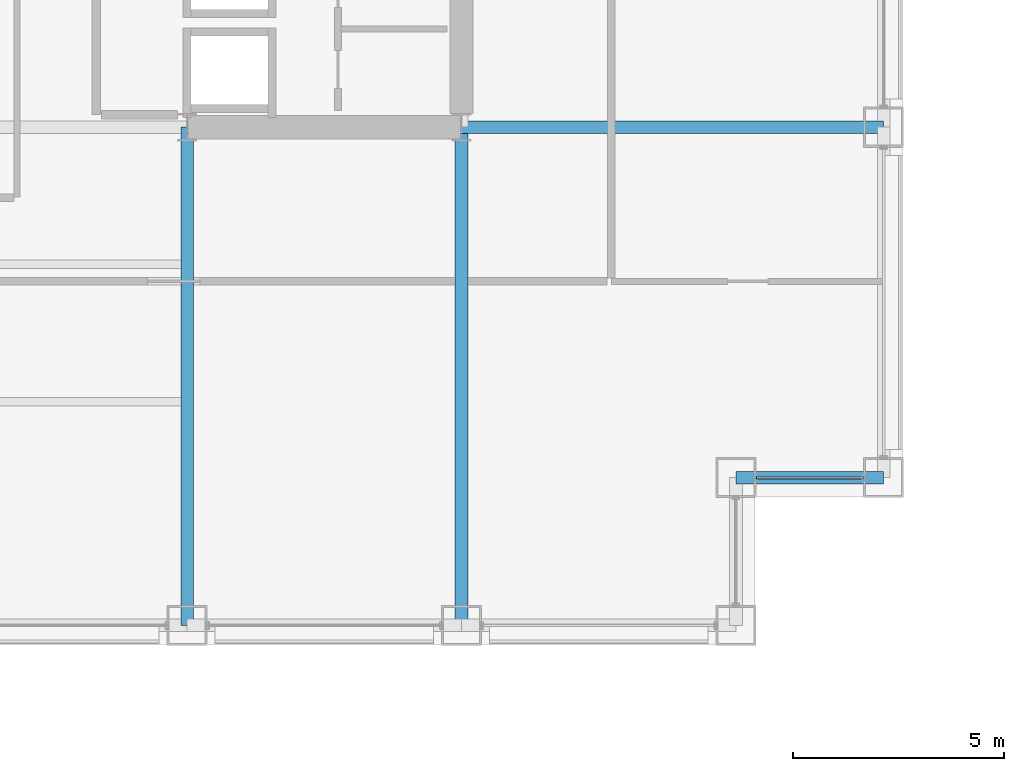
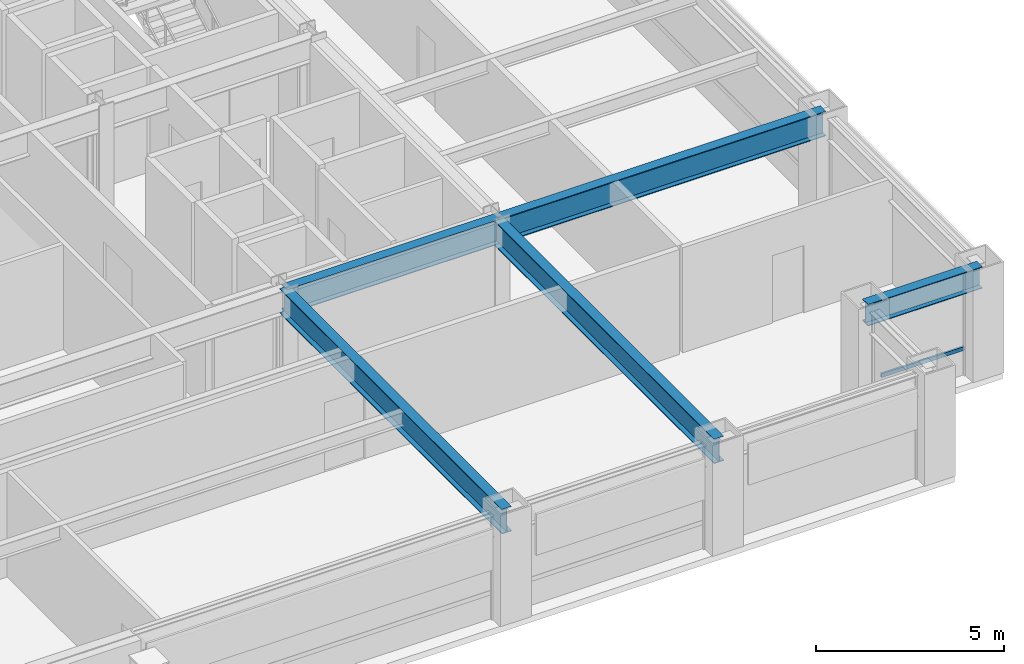
# One storey, part 10 of 31: 5 beams, 1 member, 1 element without a shape of its own.
"""IFC4 building model written with IfcOpenShell, lengths in metres."""

from ifc_helpers import new_model, si_unit, direction, frame, origin, origin_2d, place, context, subcontext, project, spatial, hollow_rectangle, i_section, extrude, material, layer, layer_set, material_profile, profile_set, type_object, element, aggregate, save


model = new_model("IFC4")

# Units and contexts
model_context = context("Model", 3, precision=1e-05, world=origin(), true_north=direction((0.0, 1.0)))
body_context = subcontext(model_context, "Body", "Model", "MODEL_VIEW")
ifc_project = project(units=[si_unit("LENGTHUNIT", "METRE"), si_unit("AREAUNIT", "SQUARE_METRE"), si_unit("VOLUMEUNIT", "CUBIC_METRE"), si_unit("PLANEANGLEUNIT", "RADIAN"), si_unit("MASSUNIT", "GRAM", prefix="KILO")], contexts=[model_context])

# Site, building, storey
site_placement = place(None, origin())
site = spatial("IfcSite", under=ifc_project, at=site_placement, CompositionType="ELEMENT")
building_placement = place(site_placement, origin())
building = spatial("IfcBuilding", under=site, at=building_placement, Name="Brelmoor Portico Tower", CompositionType="ELEMENT")
storey_placement = place(building_placement, frame((0.0, 0.0, 42.0)))
storey = spatial("IfcBuildingStorey", under=building, at=storey_placement, Name="L10", CompositionType="ELEMENT", Elevation=42.0)

# Beams
ifc_material_1 = material(Name="Steel Q355B", Category="steel")
ifc_material_profile_1 = material_profile(ifc_material_1, i_section(OverallWidth=0.300048828125, OverallDepth=0.800048828125, WebThickness=0.013916015625, FlangeThickness=0.02587890625, at=origin_2d()), Name="HN 800x300x14x26")
ifc_profile_set_1 = profile_set([ifc_material_profile_1], Name="Steel Q355B")
beam_type_1 = type_object("IfcBeamType", Name="BM-PG-800", PredefinedType="BEAM", material=ifc_profile_set_1)
for number, where, z_axis, x_axis, name in (
    (1, (8.050048828125, -21.550048828125, 3.0), (0.0, 1.0, 0.0), (-1.0, 0.0, 0.0), "L10 Primary Floor Girder PG-09"),
    (2, (14.550048828125, -21.550048828125, 3.0), (0.0, 1.0, 0.0), (-1.0, 0.0, 0.0), "L10 Primary Floor Girder PG-11"),
):
    element("IfcBeam", number, at=place(storey_placement, frame(where, z_axis=z_axis, x_axis=x_axis)), inside=storey, type_object=beam_type_1, Name=name, PredefinedType="BEAM", context=body_context, shape_type="SweptSolid", body=[
        extrude(i_section(OverallWidth=0.300048828125, OverallDepth=0.800048828125, WebThickness=0.013916015625, FlangeThickness=0.02587890625, at=origin_2d()), origin(), (0.0, 0.0, 1.0), 11.800048828125),
    ])
beam_1_placement = place(storey_placement, frame((8.050048828125, -9.75, 3.0), z_axis=(1.0, 0.0, 0.0), x_axis=(0.0, 1.0, 0.0)))
element("IfcBeam", 3, at=beam_1_placement, inside=storey, type_object=beam_type_1, Name="L10 Primary Floor Girder PG-22", PredefinedType="BEAM", context=body_context, shape_type="SweptSolid", body=[
    extrude(i_section(OverallWidth=0.300048828125, OverallDepth=0.800048828125, WebThickness=0.013916015625, FlangeThickness=0.02587890625, at=origin_2d()), origin(), (0.0, 0.0, 1.0), 6.5),
])
beam_2_placement = place(storey_placement, frame((14.550048828125, -9.75, 3.0), z_axis=(1.0, 0.0, 0.0), x_axis=(0.0, 1.0, 0.0)))
element("IfcBeam", 4, at=beam_2_placement, inside=storey, type_object=beam_type_1, Name="L10 Primary Floor Girder PG-23", PredefinedType="BEAM", context=body_context, shape_type="SweptSolid", body=[
    extrude(i_section(OverallWidth=0.300048828125, OverallDepth=0.800048828125, WebThickness=0.013916015625, FlangeThickness=0.02587890625, at=origin_2d()), origin(), (0.0, 0.0, 1.0), 10.0),
])
ifc_material_profile_2 = material_profile(ifc_material_1, i_section(OverallWidth=0.300048828125, OverallDepth=0.699951171875, WebThickness=0.012939453125, FlangeThickness=0.02392578125, at=origin_2d()), Name="HN 700x300x13x24")
ifc_profile_set_2 = profile_set([ifc_material_profile_2], Name="Steel Q355B")
beam_type_2 = type_object("IfcBeamType", Name="BM-SP-700", PredefinedType="SPANDREL", material=ifc_profile_set_2)
beam_3_placement = place(storey_placement, frame((21.050048828125, -18.050048828125, 3.050048828125), z_axis=(1.0, 0.0, 0.0), x_axis=(0.0, 1.0, 0.0)))
element("IfcBeam", 5, at=beam_3_placement, inside=storey, type_object=beam_type_2, Name="L10 Perimeter Spandrel Beam SP-07", PredefinedType="SPANDREL", context=body_context, shape_type="SweptSolid", body=[
    extrude(i_section(OverallWidth=0.300048828125, OverallDepth=0.699951171875, WebThickness=0.012939453125, FlangeThickness=0.02392578125, at=origin_2d()), origin(), (0.0, 0.0, 1.0), 3.5),
])

# Curtain wall, member
ifc_material_2 = material(Name="Anodised Aluminium Alloy 6063-T6", Category="aluminium")
ifc_layer = layer(ifc_material_2, 0.179931640625)
ifc_layer_set = layer_set([ifc_layer], Name="Anodised Aluminium Alloy 6063-T6")
curtain_wall_type = type_object("IfcCurtainWallType", Name="CW-NOTCH-CHAMFER", PredefinedType="NOTDEFINED", material=ifc_layer_set)
curtain_wall_placement = place(storey_placement, origin())
curtain_wall = element("IfcCurtainWall", 6, at=curtain_wall_placement, inside=storey, type_object=curtain_wall_type, Name="L10 Curtain Wall CWN-L10-SEH", PredefinedType="NOTDEFINED")
ifc_material_profile_3 = material_profile(ifc_material_2, hollow_rectangle(XDim=0.06005859375, YDim=0.125, WallThickness=0.00341796875, at=origin_2d()), Name="ALU TRANSOM 60x125")
ifc_profile_set_3 = profile_set([ifc_material_profile_3], Name="Anodised Aluminium Alloy 6063-T6")
member_type = type_object("IfcMemberType", Name="MB-CW-TRAN-125", PredefinedType="USERDEFINED", material=ifc_profile_set_3)
member_placement = place(storey_placement, frame((21.534912109375, -18.050048828125, 0.85009765625), z_axis=(1.0, 0.0, 0.0), x_axis=(0.0, 1.0, 0.0)))
member = element("IfcMember", 7, at=member_placement, type_object=member_type, Name="CWN-L10-SEH Transom 1-00", ObjectType="TRANSOM", PredefinedType="USERDEFINED", context=body_context, shape_type="SweptSolid", body=[
    extrude(hollow_rectangle(XDim=0.06005859375, YDim=0.125, WallThickness=0.00341796875, at=origin_2d()), origin(), (0.0, 0.0, 1.0), 2.530029296875),
])
aggregate(curtain_wall, [member])

save(model, "model.ifc")
